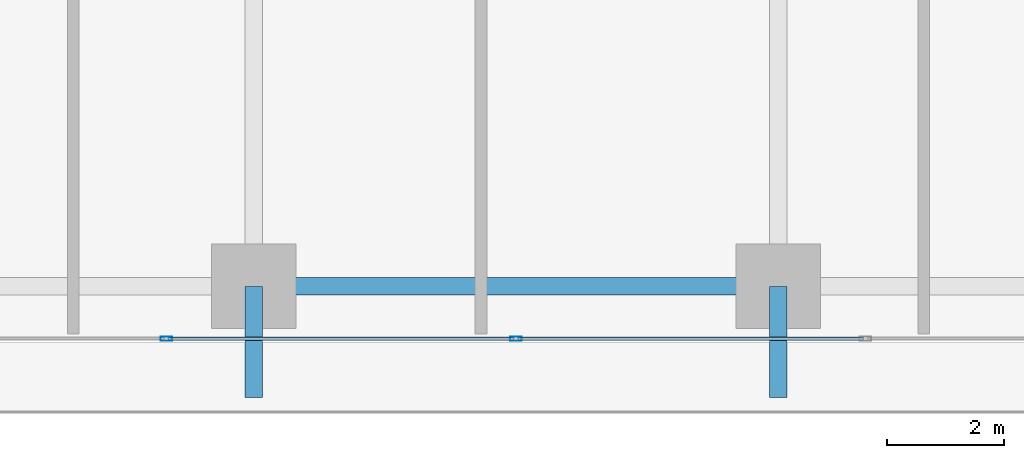
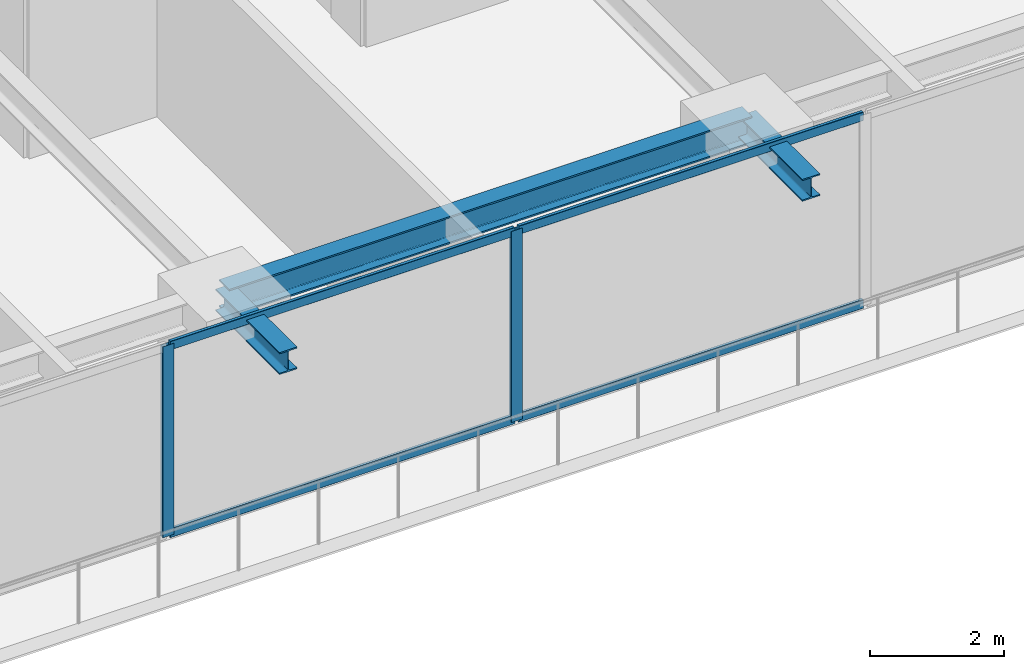
# One storey, part 5 of 38: 6 members, 3 beams, 1 element without a shape of its own.
"""IFC4 building model written with IfcOpenShell, lengths in metres."""

from ifc_helpers import new_model, si_unit, direction, frame, origin, origin_2d, place, context, subcontext, project, spatial, hollow_rectangle, i_section, extrude, source, transform, mapped, material, layer, layer_set, material_profile, profile_set, type_object, element, aggregate, save


model = new_model("IFC4")

# Units and contexts
model_context = context("Model", 3, precision=1e-05, world=origin(), true_north=direction((0.0, 1.0)))
body_context = subcontext(model_context, "Body", "Model", "MODEL_VIEW")
ifc_project = project(units=[si_unit("LENGTHUNIT", "METRE"), si_unit("AREAUNIT", "SQUARE_METRE"), si_unit("VOLUMEUNIT", "CUBIC_METRE"), si_unit("PLANEANGLEUNIT", "RADIAN"), si_unit("MASSUNIT", "GRAM", prefix="KILO")], contexts=[model_context])

# Site, building, storey
site_placement = place(None, origin())
site = spatial("IfcSite", under=ifc_project, at=site_placement, CompositionType="ELEMENT")
building_placement = place(site_placement, origin())
building = spatial("IfcBuilding", under=site, at=building_placement, Name="Serunith Strait Residences", CompositionType="ELEMENT")
storey_placement = place(building_placement, frame((0.0, 0.0, 67.949951171875)))
storey = spatial("IfcBuildingStorey", under=building, at=storey_placement, Name="L16", CompositionType="ELEMENT", Elevation=67.949951171875)

# Beams
ifc_material_1 = material(Name="Steel S355J2", Category="steel")
ifc_material_profile_1 = material_profile(ifc_material_1, i_section(OverallWidth=0.300048828125, OverallDepth=0.5, WebThickness=0.014404296875, FlangeThickness=0.028076171875, FilletRadius=0.027099609375, at=origin_2d()), Name="HEB 500")
ifc_profile_set_1 = profile_set([ifc_material_profile_1], Name="Steel S355J2")
beam_type_1 = type_object("IfcBeamType", Name="BM-HEB500", PredefinedType="BEAM", material=ifc_profile_set_1)
shared_shape_1 = source(origin(), body_context, "Body", "SweptSolid", [
    extrude(i_section(OverallWidth=0.300048828125, OverallDepth=0.5, WebThickness=0.014404296875, FlangeThickness=0.028076171875, FilletRadius=0.027099609375, at=origin_2d()), origin(), (0.0, 0.0, 1.0), 9.0),
])
beam_placement = place(storey_placement, frame((27.89990234375, 1.10009765625, 3.237060546875), z_axis=(1.0, 0.0, 0.0), x_axis=(0.0, 1.0, 0.0)))
element("IfcBeam", 1, at=beam_placement, inside=storey, type_object=beam_type_1, Name="L16 Perimeter Ring Beam 02", PredefinedType="BEAM", context=body_context, shape_type="MappedRepresentation", body=[
    mapped(shared_shape_1, transform((0.0, 0.0, 0.0), scale=1.0)),
])
ifc_material_profile_2 = material_profile(ifc_material_1, i_section(OverallWidth=0.300048828125, OverallDepth=0.39990234375, WebThickness=0.013427734375, FlangeThickness=0.02392578125, FilletRadius=0.027099609375, at=origin_2d()), Name="HEB 400")
ifc_profile_set_2 = profile_set([ifc_material_profile_2], Name="Steel S355J2")
beam_type_2 = type_object("IfcBeamType", Name="BM-HEB400", PredefinedType="BEAM", material=ifc_profile_set_2)
shared_shape_2 = source(origin(), body_context, "Body", "SweptSolid", [
    extrude(i_section(OverallWidth=0.300048828125, OverallDepth=0.39990234375, WebThickness=0.013427734375, FlangeThickness=0.02392578125, FilletRadius=0.027099609375, at=origin_2d()), origin(), (0.0, 0.0, 1.0), 1.91015625),
])
for number, where, z_axis, x_axis, name in (
    (2, (27.89990234375, 1.10009765625, 3.257080078125), (0.0, -1.0, 0.0), (1.0, 0.0, 0.0), "L17 Cantilevered Balcony Rib TC-S2"),
    (3, (36.89990234375, 1.10009765625, 3.257080078125), (0.0, -1.0, 0.0), (1.0, 0.0, 0.0), "L17 Cantilevered Balcony Rib TC-S3"),
):
    element("IfcBeam", number, at=place(storey_placement, frame(where, z_axis=z_axis, x_axis=x_axis)), inside=storey, type_object=beam_type_2, Name=name, PredefinedType="BEAM", context=body_context, shape_type="MappedRepresentation", body=[
        mapped(shared_shape_2, transform((0.0, 0.0, 0.0), scale=1.0)),
    ])

# Curtain wall, members
ifc_material_2 = material(Name="Pale-Champagne Anodised Aluminium", Category="aluminium")
ifc_layer = layer(ifc_material_2, 0.199951171875, Name="Pale-Champagne Anodised Aluminium")
ifc_layer_set = layer_set([ifc_layer], Name="Pale-Champagne Anodised Aluminium")
curtain_wall_type = type_object("IfcCurtainWallType", Name="CW-SYS1", PredefinedType="NOTDEFINED", material=ifc_layer_set)
curtain_wall_placement = place(storey_placement, origin())
curtain_wall = element("IfcCurtainWall", 4, at=curtain_wall_placement, inside=storey, type_object=curtain_wall_type, Name="L16 S Unitised Fritted Curtain Wall", PredefinedType="NOTDEFINED")
ifc_material_profile_3 = material_profile(ifc_material_2, hollow_rectangle(XDim=0.070068359375, YDim=0.199951171875, WallThickness=0.00390625, InnerFilletRadius=0.006103515625, OuterFilletRadius=0.010009765625, at=origin_2d()), Name="ALU 200x70x4")
ifc_profile_set_3 = profile_set([ifc_material_profile_3], Name="Pale-Champagne Anodised Aluminium")
member_type_1 = type_object("IfcMemberType", Name="CW-SYS1-MULL", PredefinedType="MULLION", material=ifc_profile_set_3)
shared_shape_3 = source(origin(), body_context, "Body", "SweptSolid", [
    extrude(hollow_rectangle(XDim=0.070068359375, YDim=0.199951171875, WallThickness=0.00390625, InnerFilletRadius=0.006103515625, OuterFilletRadius=0.010009765625, at=origin_2d()), origin(), (0.0, 0.0, 1.0), 3.47509765625),
])
member_1_placement = place(storey_placement, frame((26.39990234375, 0.199951171875, 0.0), z_axis=(0.0, 0.0, 1.0), x_axis=(0.0, 1.0, 0.0)))
member_1 = element("IfcMember", 5, at=member_1_placement, type_object=member_type_1, Name="CW-1 mullion 3", PredefinedType="MULLION", context=body_context, shape_type="MappedRepresentation", body=[
    mapped(shared_shape_3, transform((0.0, 0.0, 0.0), scale=1.0)),
])
member_2_placement = place(storey_placement, frame((32.39990234375, 0.199951171875, 0.0), z_axis=(0.0, 0.0, 1.0), x_axis=(0.0, 1.0, 0.0)))
member_2 = element("IfcMember", 6, at=member_2_placement, type_object=member_type_1, Name="CW-1 mullion 4", PredefinedType="MULLION", context=body_context, shape_type="MappedRepresentation", body=[
    mapped(shared_shape_3, transform((0.0, 0.0, 0.0), scale=1.0)),
])
ifc_material_profile_4 = material_profile(ifc_material_2, hollow_rectangle(XDim=0.06005859375, YDim=0.159912109375, WallThickness=0.00341796875, InnerFilletRadius=0.00537109375, OuterFilletRadius=0.0087890625, at=origin_2d()), Name="ALU 160x60x3.5")
ifc_profile_set_4 = profile_set([ifc_material_profile_4], Name="Pale-Champagne Anodised Aluminium")
member_type_2 = type_object("IfcMemberType", Name="CW-SYS1-TRAN", PredefinedType="USERDEFINED", material=ifc_profile_set_4)
shared_shape_4 = source(origin(), body_context, "Body", "SweptSolid", [
    extrude(hollow_rectangle(XDim=0.06005859375, YDim=0.159912109375, WallThickness=0.00341796875, InnerFilletRadius=0.00537109375, OuterFilletRadius=0.0087890625, at=origin_2d()), origin(), (0.0, 0.0, 1.0), 5.929931640625),
])
member_3_placement = place(storey_placement, frame((26.43505859375, 0.199951171875, 0.030029296875), z_axis=(1.0, 0.0, 0.0), x_axis=(0.0, 1.0, 0.0)))
member_3 = element("IfcMember", 7, at=member_3_placement, type_object=member_type_2, Name="CW-1 transom 3.1", ObjectType="TRANSOM", PredefinedType="USERDEFINED", context=body_context, shape_type="MappedRepresentation", body=[
    mapped(shared_shape_4, transform((0.0, 0.0, 0.0), scale=1.0)),
])
member_4_placement = place(storey_placement, frame((26.43505859375, 0.199951171875, 3.445068359375), z_axis=(1.0, 0.0, 0.0), x_axis=(0.0, 1.0, 0.0)))
member_4 = element("IfcMember", 8, at=member_4_placement, type_object=member_type_2, Name="CW-1 transom 3.2", ObjectType="TRANSOM", PredefinedType="USERDEFINED", context=body_context, shape_type="MappedRepresentation", body=[
    mapped(shared_shape_4, transform((0.0, 0.0, 0.0), scale=1.0)),
])
member_5_placement = place(storey_placement, frame((32.43505859375, 0.199951171875, 0.030029296875), z_axis=(1.0, 0.0, 0.0), x_axis=(0.0, 1.0, 0.0)))
member_5 = element("IfcMember", 9, at=member_5_placement, type_object=member_type_2, Name="CW-1 transom 4.1", ObjectType="TRANSOM", PredefinedType="USERDEFINED", context=body_context, shape_type="MappedRepresentation", body=[
    mapped(shared_shape_4, transform((0.0, 0.0, 0.0), scale=1.0)),
])
member_6_placement = place(storey_placement, frame((32.43505859375, 0.199951171875, 3.445068359375), z_axis=(1.0, 0.0, 0.0), x_axis=(0.0, 1.0, 0.0)))
member_6 = element("IfcMember", 10, at=member_6_placement, type_object=member_type_2, Name="CW-1 transom 4.2", ObjectType="TRANSOM", PredefinedType="USERDEFINED", context=body_context, shape_type="MappedRepresentation", body=[
    mapped(shared_shape_4, transform((0.0, 0.0, 0.0), scale=1.0)),
])
aggregate(curtain_wall, [member_1, member_2, member_3, member_4, member_5, member_6])

save(model, "model.ifc")
